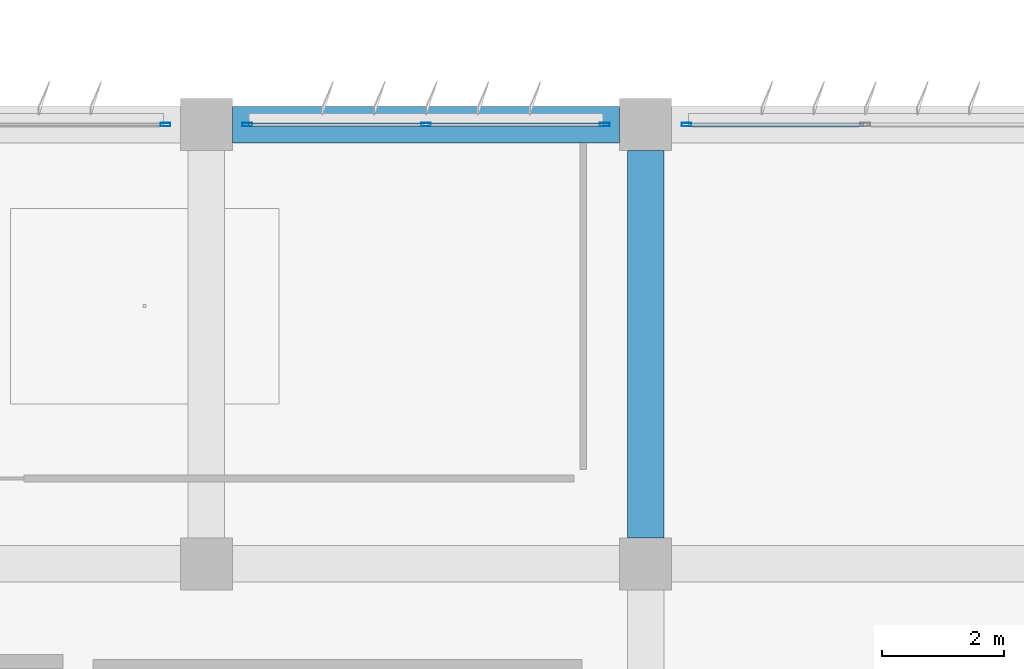
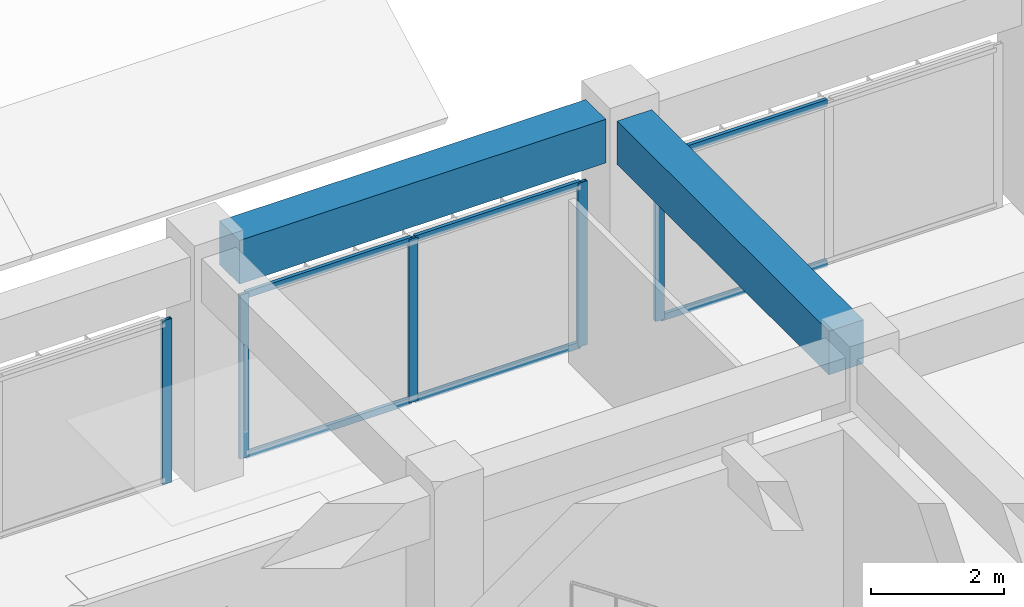
# One storey, part 25 of 56: 11 members, 2 beams, 3 elements without a shape of their own.
"""IFC4 building model written with IfcOpenShell, lengths in metres."""

from ifc_helpers import new_model, si_unit, direction, frame, origin, origin_2d, place, context, subcontext, project, spatial, rectangle, hollow_rectangle, extrude, material, material_profile, profile_set, type_object, element, aggregate, save


model = new_model("IFC4")

# Units and contexts
model_context = context("Model", 3, precision=1e-05, world=origin(), true_north=direction((0.0, 1.0)))
body_context = subcontext(model_context, "Body", "Model", "MODEL_VIEW")
ifc_project = project(units=[si_unit("LENGTHUNIT", "METRE"), si_unit("AREAUNIT", "SQUARE_METRE"), si_unit("VOLUMEUNIT", "CUBIC_METRE"), si_unit("PLANEANGLEUNIT", "RADIAN"), si_unit("MASSUNIT", "GRAM", prefix="KILO")], contexts=[model_context])

# Site, building, storey
site_placement = place(None, origin())
site = spatial("IfcSite", under=ifc_project, at=site_placement, CompositionType="ELEMENT")
building_placement = place(site_placement, origin())
building = spatial("IfcBuilding", under=site, at=building_placement, Name="Kazehaya Institute of Natural Sciences", CompositionType="ELEMENT")
storey_placement = place(building_placement, frame((0.0, 0.0, 24.300048828125)))
storey = spatial("IfcBuildingStorey", under=building, at=storey_placement, Name="L05", CompositionType="ELEMENT", Elevation=24.300048828125)

# Beams
ifc_material_1 = material(Name="Concrete Fc36", Category="concrete")
ifc_material_profile_1 = material_profile(ifc_material_1, rectangle(XDim=0.60009765625, YDim=0.800048828125, at=origin_2d()), Name="RC-600x800")
ifc_profile_set_1 = profile_set([ifc_material_profile_1], Name="Concrete Fc36")
beam_type = type_object("IfcBeamType", Name="BM-G-600x800", PredefinedType="BEAM", material=ifc_profile_set_1)
beam_1_placement = place(storey_placement, frame((105.425048828125, 35.60009765625, 3.829833984375), z_axis=(1.0, 0.0, 0.0), x_axis=(0.0, 1.0, 0.0)))
element("IfcBeam", 1, at=beam_1_placement, inside=storey, type_object=beam_type, Name="L05 primary X girder BMX-L05-1050-356", PredefinedType="BEAM", context=body_context, shape_type="SweptSolid", body=[
    extrude(rectangle(XDim=0.60009765625, YDim=0.800048828125, at=origin_2d()), origin(), (0.0, 0.0, 1.0), 6.349853515625),
])
beam_2_placement = place(storey_placement, frame((112.199951171875, 28.824951171875, 3.829833984375), z_axis=(0.0, 1.0, 0.0), x_axis=(-1.0, 0.0, 0.0)))
element("IfcBeam", 2, at=beam_2_placement, inside=storey, type_object=beam_type, Name="L05 primary Y girder BMY-L05-1122-284", PredefinedType="BEAM", context=body_context, shape_type="SweptSolid", body=[
    extrude(rectangle(XDim=0.60009765625, YDim=0.800048828125, at=origin_2d()), origin(), (0.0, 0.0, 1.0), 6.35009765625),
])

# Curtain wall, member
ifc_material_2 = material(Name="Aluminium alloy A6063S-T5", Category="aluminium")
curtain_wall_type = type_object("IfcCurtainWallType", Name="CW-SYS-04", PredefinedType="NOTDEFINED", material=ifc_material_2)
curtain_wall_1_placement = place(storey_placement, origin())
curtain_wall_1 = element("IfcCurtainWall", 3, at=curtain_wall_1_placement, inside=storey, type_object=curtain_wall_type, Name="L05 unitised curtain wall CW-L05-109", PredefinedType="NOTDEFINED")
ifc_material_profile_2 = material_profile(ifc_material_2, hollow_rectangle(XDim=0.06005859375, YDim=0.159912109375, WallThickness=0.00390625, at=origin_2d()), Name="ALU-60x160x4")
ifc_profile_set_2 = profile_set([ifc_material_profile_2], Name="Aluminium alloy A6063S-T5")
member_type_1 = type_object("IfcMemberType", Name="CWM-160", PredefinedType="MULLION", material=ifc_profile_set_2)
member_1_placement = place(storey_placement, frame((104.330078125, 35.60009765625, 0.0), z_axis=(0.0, 0.0, 1.0), x_axis=(0.0, 1.0, 0.0)))
member_1 = element("IfcMember", 4, at=member_1_placement, type_object=member_type_1, Name="CW04 mullion 3", PredefinedType="MULLION", context=body_context, shape_type="SweptSolid", body=[
    extrude(hollow_rectangle(XDim=0.06005859375, YDim=0.159912109375, WallThickness=0.00390625, at=origin_2d()), origin(), (0.0, 0.0, 1.0), 3.0),
])
aggregate(curtain_wall_1, [member_1])

# Curtain wall, members
curtain_wall_2_placement = place(storey_placement, origin())
curtain_wall_2 = element("IfcCurtainWall", 5, at=curtain_wall_2_placement, inside=storey, type_object=curtain_wall_type, Name="L05 unitised curtain wall CW-L05-110", PredefinedType="NOTDEFINED")
member_2_placement = place(storey_placement, frame((105.669921875, 35.60009765625, 0.0), z_axis=(0.0, 0.0, 1.0), x_axis=(0.0, 1.0, 0.0)))
member_2 = element("IfcMember", 6, at=member_2_placement, type_object=member_type_1, Name="CW04 mullion 1", PredefinedType="MULLION", context=body_context, shape_type="SweptSolid", body=[
    extrude(hollow_rectangle(XDim=0.06005859375, YDim=0.159912109375, WallThickness=0.00390625, at=origin_2d()), origin(), (0.0, 0.0, 1.0), 3.0),
])
member_3_placement = place(storey_placement, frame((108.60009765625, 35.60009765625, 0.0), z_axis=(0.0, 0.0, 1.0), x_axis=(0.0, 1.0, 0.0)))
member_3 = element("IfcMember", 7, at=member_3_placement, type_object=member_type_1, Name="CW04 mullion 2", PredefinedType="MULLION", context=body_context, shape_type="SweptSolid", body=[
    extrude(hollow_rectangle(XDim=0.06005859375, YDim=0.159912109375, WallThickness=0.00390625, at=origin_2d()), origin(), (0.0, 0.0, 1.0), 3.0),
])
member_4_placement = place(storey_placement, frame((111.530029296875, 35.60009765625, 0.0), z_axis=(0.0, 0.0, 1.0), x_axis=(0.0, 1.0, 0.0)))
member_4 = element("IfcMember", 8, at=member_4_placement, type_object=member_type_1, Name="CW04 mullion 3", PredefinedType="MULLION", context=body_context, shape_type="SweptSolid", body=[
    extrude(hollow_rectangle(XDim=0.06005859375, YDim=0.159912109375, WallThickness=0.00390625, at=origin_2d()), origin(), (0.0, 0.0, 1.0), 3.0),
])

# Curtain wall, member
curtain_wall_3_placement = place(storey_placement, origin())
curtain_wall_3 = element("IfcCurtainWall", 9, at=curtain_wall_3_placement, inside=storey, type_object=curtain_wall_type, Name="L05 unitised curtain wall CW-L05-111", PredefinedType="NOTDEFINED")
member_5_placement = place(storey_placement, frame((112.8701171875, 35.60009765625, 0.0), z_axis=(0.0, 0.0, 1.0), x_axis=(0.0, 1.0, 0.0)))
member_5 = element("IfcMember", 10, at=member_5_placement, type_object=member_type_1, Name="CW04 mullion 1", PredefinedType="MULLION", context=body_context, shape_type="SweptSolid", body=[
    extrude(hollow_rectangle(XDim=0.06005859375, YDim=0.159912109375, WallThickness=0.00390625, at=origin_2d()), origin(), (0.0, 0.0, 1.0), 3.0),
])

# Member
ifc_material_profile_3 = material_profile(ifc_material_2, hollow_rectangle(XDim=0.06005859375, YDim=0.1201171875, WallThickness=0.00341796875, at=origin_2d()), Name="ALU-60x120x3.5")
ifc_profile_set_3 = profile_set([ifc_material_profile_3], Name="Aluminium alloy A6063S-T5")
member_type_2 = type_object("IfcMemberType", Name="CWT-120", PredefinedType="USERDEFINED", material=ifc_profile_set_3)
member_6_placement = place(storey_placement, frame((105.699951171875, 35.60009765625, 0.030029296875), z_axis=(1.0, 0.0, 0.0), x_axis=(0.0, 1.0, 0.0)))
member_6 = element("IfcMember", 11, at=member_6_placement, type_object=member_type_2, Name="CW04 transom 1.1", ObjectType="TRANSOM", PredefinedType="USERDEFINED", context=body_context, shape_type="SweptSolid", body=[
    extrude(hollow_rectangle(XDim=0.06005859375, YDim=0.1201171875, WallThickness=0.00341796875, at=origin_2d()), origin(), (0.0, 0.0, 1.0), 2.8701171875),
])

member_7_placement = place(storey_placement, frame((105.699951171875, 35.60009765625, 2.969970703125), z_axis=(1.0, 0.0, 0.0), x_axis=(0.0, 1.0, 0.0)))
member_7 = element("IfcMember", 12, at=member_7_placement, type_object=member_type_2, Name="CW04 transom 1.2", ObjectType="TRANSOM", PredefinedType="USERDEFINED", context=body_context, shape_type="SweptSolid", body=[
    extrude(hollow_rectangle(XDim=0.06005859375, YDim=0.1201171875, WallThickness=0.00341796875, at=origin_2d()), origin(), (0.0, 0.0, 1.0), 2.8701171875),
])

member_8_placement = place(storey_placement, frame((108.6298828125, 35.60009765625, 0.030029296875), z_axis=(1.0, 0.0, 0.0), x_axis=(0.0, 1.0, 0.0)))
member_8 = element("IfcMember", 13, at=member_8_placement, type_object=member_type_2, Name="CW04 transom 2.1", ObjectType="TRANSOM", PredefinedType="USERDEFINED", context=body_context, shape_type="SweptSolid", body=[
    extrude(hollow_rectangle(XDim=0.06005859375, YDim=0.1201171875, WallThickness=0.00341796875, at=origin_2d()), origin(), (0.0, 0.0, 1.0), 2.8701171875),
])

member_9_placement = place(storey_placement, frame((108.6298828125, 35.60009765625, 2.969970703125), z_axis=(1.0, 0.0, 0.0), x_axis=(0.0, 1.0, 0.0)))
member_9 = element("IfcMember", 14, at=member_9_placement, type_object=member_type_2, Name="CW04 transom 2.2", ObjectType="TRANSOM", PredefinedType="USERDEFINED", context=body_context, shape_type="SweptSolid", body=[
    extrude(hollow_rectangle(XDim=0.06005859375, YDim=0.1201171875, WallThickness=0.00341796875, at=origin_2d()), origin(), (0.0, 0.0, 1.0), 2.8701171875),
])

aggregate(curtain_wall_2, [member_2, member_3, member_4, member_6, member_7, member_8, member_9])

member_10_placement = place(storey_placement, frame((112.89990234375, 35.60009765625, 0.030029296875), z_axis=(1.0, 0.0, 0.0), x_axis=(0.0, 1.0, 0.0)))
member_10 = element("IfcMember", 15, at=member_10_placement, type_object=member_type_2, Name="CW04 transom 1.1", ObjectType="TRANSOM", PredefinedType="USERDEFINED", context=body_context, shape_type="SweptSolid", body=[
    extrude(hollow_rectangle(XDim=0.06005859375, YDim=0.1201171875, WallThickness=0.00341796875, at=origin_2d()), origin(), (0.0, 0.0, 1.0), 2.8701171875),
])

member_11_placement = place(storey_placement, frame((112.89990234375, 35.60009765625, 2.969970703125), z_axis=(1.0, 0.0, 0.0), x_axis=(0.0, 1.0, 0.0)))
member_11 = element("IfcMember", 16, at=member_11_placement, type_object=member_type_2, Name="CW04 transom 1.2", ObjectType="TRANSOM", PredefinedType="USERDEFINED", context=body_context, shape_type="SweptSolid", body=[
    extrude(hollow_rectangle(XDim=0.06005859375, YDim=0.1201171875, WallThickness=0.00341796875, at=origin_2d()), origin(), (0.0, 0.0, 1.0), 2.8701171875),
])

aggregate(curtain_wall_3, [member_5, member_10, member_11])

save(model, "model.ifc")
